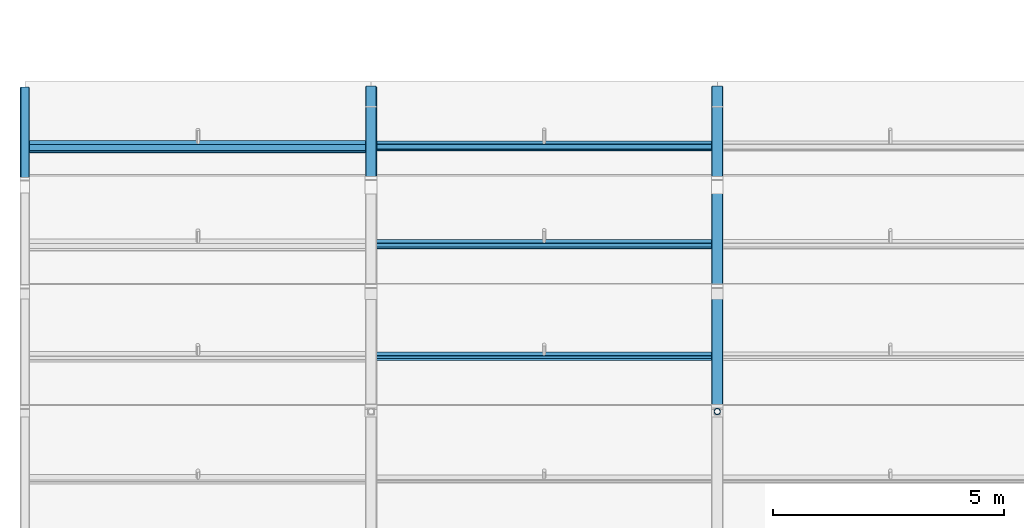
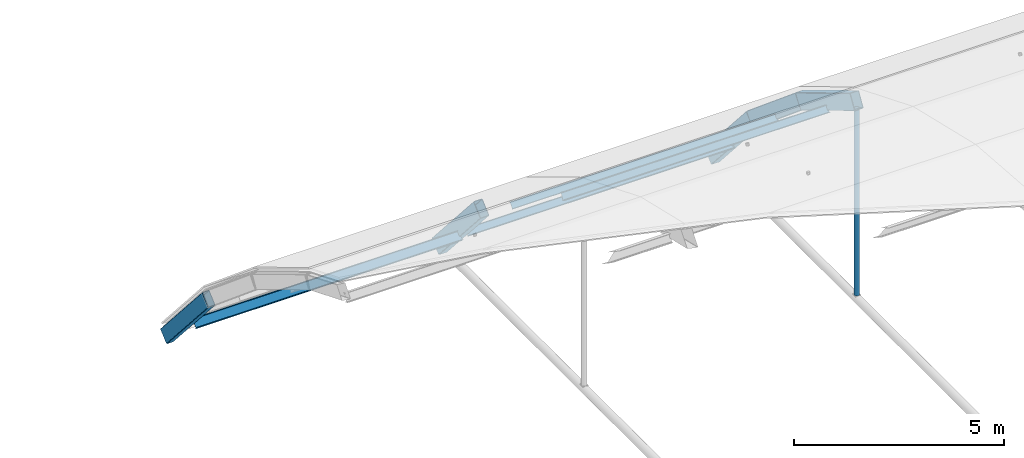
# One storey, part 16 of 77: 5 beams, 5 members.
"""IFC4 building model written with IfcOpenShell, lengths in metres."""

from ifc_helpers import new_model, si_unit, direction, frame, origin, origin_2d, place, context, subcontext, project, spatial, hollow_rectangle, hollow_circle, i_section, extrude, material, material_profile, profile_set, type_object, element, save


model = new_model("IFC4")

# Units and contexts
model_context = context("Model", 3, precision=1e-05, world=origin(), true_north=direction((0.0, 1.0)))
body_context = subcontext(model_context, "Body", "Model", "MODEL_VIEW")
ifc_project = project(units=[si_unit("LENGTHUNIT", "METRE"), si_unit("AREAUNIT", "SQUARE_METRE"), si_unit("VOLUMEUNIT", "CUBIC_METRE"), si_unit("PLANEANGLEUNIT", "RADIAN"), si_unit("MASSUNIT", "GRAM", prefix="KILO")], contexts=[model_context])

# Site, building, storey
site_placement = place(None, origin())
site = spatial("IfcSite", under=ifc_project, at=site_placement, CompositionType="ELEMENT")
building_placement = place(site_placement, origin())
building = spatial("IfcBuilding", under=site, at=building_placement, Name="Yukiwa Park Conservatory and Herbarium", CompositionType="ELEMENT")
storey_placement = place(building_placement, frame((0.0, 0.0, 13.199951171875)))
storey = spatial("IfcBuildingStorey", under=building, at=storey_placement, Name="L03", CompositionType="ELEMENT", Elevation=13.199951171875)

# Beams
ifc_material_1 = material(Name="Steel Q355D", Category="steel")
ifc_material_profile_1 = material_profile(ifc_material_1, hollow_rectangle(XDim=0.25, YDim=0.449951171875, WallThickness=0.013916015625, InnerFilletRadius=0.013916015625, OuterFilletRadius=0.028076171875, at=origin_2d()), Name="RHS 450x250x14")
ifc_profile_set_1 = profile_set([ifc_material_profile_1], Name="Steel Q355D")
beam_type_1 = type_object("IfcBeamType", Name="BM-VLT-ARCH450", PredefinedType="BEAM", material=ifc_profile_set_1)
for number, where, z_axis, x_axis, name in (
    (1, (7.5, 29.213134765625, -1.93798828125), (0.0, 0.659932949032, -0.75132449899), (-1.0, 0.0, 0.0), "Conservatory barrel vault arch rib 2 chord 12"),
    (2, (15.0, 24.320556640625, 1.541259765625), (0.0, 0.857249569488, -0.514901131881), (-1.0, 0.0, 0.0), "Conservatory barrel vault arch rib 3 chord 10"),
    (3, (15.0, 26.901611328125, -0.009033203125), (0.0, 0.767782402885, -0.640710684959), (-1.0, 0.0, 0.0), "Conservatory barrel vault arch rib 3 chord 11"),
    (4, (15.0, 29.213134765625, -1.93798828125), (0.0, 0.659932949032, -0.75132449899), (-1.0, 0.0, 0.0), "Conservatory barrel vault arch rib 3 chord 12"),
):
    element("IfcBeam", number, at=place(storey_placement, frame(where, z_axis=z_axis, x_axis=x_axis)), inside=storey, type_object=beam_type_1, Name=name, PredefinedType="BEAM", context=body_context, shape_type="SweptSolid", body=[
        extrude(hollow_rectangle(XDim=0.25, YDim=0.449951171875, WallThickness=0.013916015625, InnerFilletRadius=0.013916015625, OuterFilletRadius=0.028076171875, at=origin_2d()), origin(), (0.0, 0.0, 1.0), 3.0107421875),
    ])
ifc_material_2 = material(Name="Steel Q355D", Category="steel")
ifc_material_profile_2 = material_profile(ifc_material_2, hollow_rectangle(XDim=0.199951171875, YDim=0.39990234375, WallThickness=0.011962890625, InnerFilletRadius=0.011962890625, OuterFilletRadius=0.02392578125, at=origin_2d()), Name="RHS 400x200x12")
ifc_profile_set_2 = profile_set([ifc_material_profile_2], Name="Steel Q355D")
beam_type_2 = type_object("IfcBeamType", Name="BM-VLT-GABLE400", PredefinedType="BEAM", material=ifc_profile_set_2)
beam_placement = place(storey_placement, frame((0.0, 29.213134765625, -1.93798828125), z_axis=(0.0, 0.659932949032, -0.75132449899), x_axis=(-1.0, 0.0, 0.0)))
element("IfcBeam", 5, at=beam_placement, inside=storey, type_object=beam_type_2, Name="Conservatory barrel vault arch rib 1 chord 12", PredefinedType="BEAM", context=body_context, shape_type="SweptSolid", body=[
    extrude(hollow_rectangle(XDim=0.199951171875, YDim=0.39990234375, WallThickness=0.011962890625, InnerFilletRadius=0.011962890625, OuterFilletRadius=0.02392578125, at=origin_2d()), origin(), (0.0, 0.0, 1.0), 3.0107421875),
])

# Members
ifc_material_3 = material(Name="Steel Q355D", Category="steel")
ifc_material_profile_3 = material_profile(ifc_material_3, i_section(OverallWidth=0.10009765625, OverallDepth=0.199951171875, WebThickness=0.005615234375, FlangeThickness=0.008056640625, FilletRadius=0.010986328125, at=origin_2d()), Name="HN 200x100x5.5x8")
ifc_profile_set_3 = profile_set([ifc_material_profile_3], Name="Steel Q355D")
member_type_1 = type_object("IfcMemberType", Name="MB-VLT-PURL200", PredefinedType="PURLIN", material=ifc_profile_set_3)
for number, where, z_axis, x_axis, name in (
    (6, (7.5849609375, 25.5205078125, 0.615234375), (1.0, 0.0, 0.0), (0.0, 0.857233812968, -0.514927363717), "Conservatory vault longitudinal purlin 2.10"),
    (7, (7.5849609375, 27.944580078125, -1.108642578125), (1.0, 0.0, 0.0), (0.0, 0.767751470285, -0.640747750582), "Conservatory vault longitudinal purlin 2.11"),
    (8, (7.5849609375, 30.07421875, -3.18505859375), (1.0, 0.0, 0.0), (0.0, 0.659967575996, -0.751294082656), "Conservatory vault longitudinal purlin 2.12"),
):
    element("IfcMember", number, at=place(storey_placement, frame(where, z_axis=z_axis, x_axis=x_axis)), inside=storey, type_object=member_type_1, Name=name, PredefinedType="PURLIN", context=body_context, shape_type="SweptSolid", body=[
        extrude(i_section(OverallWidth=0.10009765625, OverallDepth=0.199951171875, WebThickness=0.005615234375, FlangeThickness=0.008056640625, FilletRadius=0.010986328125, at=origin_2d()), origin(), (0.0, 0.0, 1.0), 7.330078125),
    ])
ifc_material_4 = material(Name="Steel Q355D", Category="steel")
ifc_material_profile_4 = material_profile(ifc_material_4, i_section(OverallWidth=0.1240234375, OverallDepth=0.248046875, WebThickness=0.0048828125, FlangeThickness=0.008056640625, FilletRadius=0.011962890625, at=origin_2d()), Name="HN 248x124x5x8")
ifc_profile_set_4 = profile_set([ifc_material_profile_4], Name="Steel Q355D")
member_type_2 = type_object("IfcMemberType", Name="MB-VLT-PURL248", PredefinedType="PURLIN", material=ifc_profile_set_4)
member_1_placement = place(storey_placement, frame((0.0849609375, 30.05615234375, -3.200927734375), z_axis=(1.0, 0.0, 0.0), x_axis=(0.0, 0.659967575996, -0.751294082656)))
element("IfcMember", 9, at=member_1_placement, inside=storey, type_object=member_type_2, Name="Conservatory vault longitudinal purlin 1.12", PredefinedType="PURLIN", context=body_context, shape_type="SweptSolid", body=[
    extrude(i_section(OverallWidth=0.1240234375, OverallDepth=0.248046875, WebThickness=0.0048828125, FlangeThickness=0.008056640625, FilletRadius=0.011962890625, at=origin_2d()), origin(), (0.0, 0.0, 1.0), 7.330078125),
])
ifc_material_5 = material(Name="Steel Q355D", Category="steel")
ifc_material_profile_5 = material_profile(ifc_material_5, hollow_circle(Radius=0.06982421875, WallThickness=0.008056640625, at=origin_2d()), Name="CHS 139.7x8")
ifc_profile_set_5 = profile_set([ifc_material_profile_5], Name="Steel Q355D")
member_type_3 = type_object("IfcMemberType", Name="MB-VLT-STRUT140", PredefinedType="STRUT", material=ifc_profile_set_5)
member_2_placement = place(storey_placement, frame((15.0, 24.320556640625, -4.095947265625), z_axis=(0.0, 0.0, 1.0), x_axis=(1.0, 0.0, 0.0)))
element("IfcMember", 10, at=member_2_placement, inside=storey, type_object=member_type_3, Name="Conservatory vault bowstring hanger 3.9", PredefinedType="STRUT", context=body_context, shape_type="SweptSolid", body=[
    extrude(hollow_circle(Radius=0.06982421875, WallThickness=0.008056640625, at=origin_2d()), origin(), (0.0, 0.0, 1.0), 5.42236328125),
])

save(model, "model.ifc")
